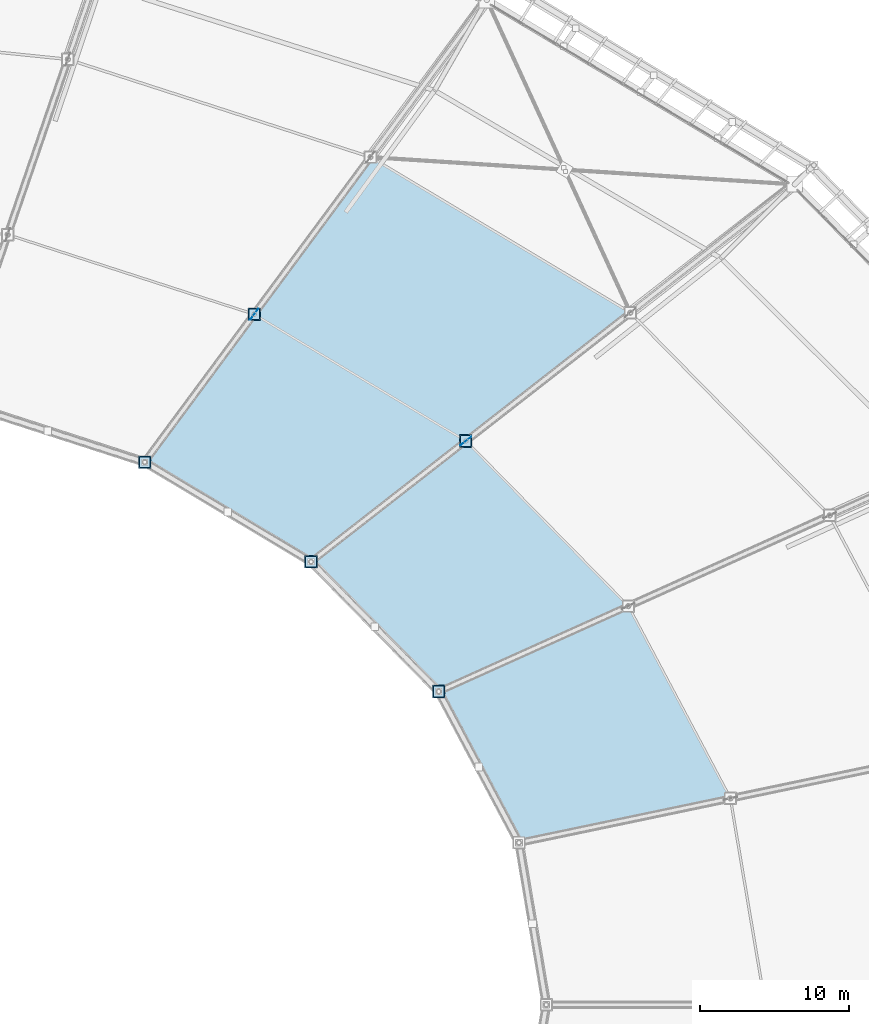
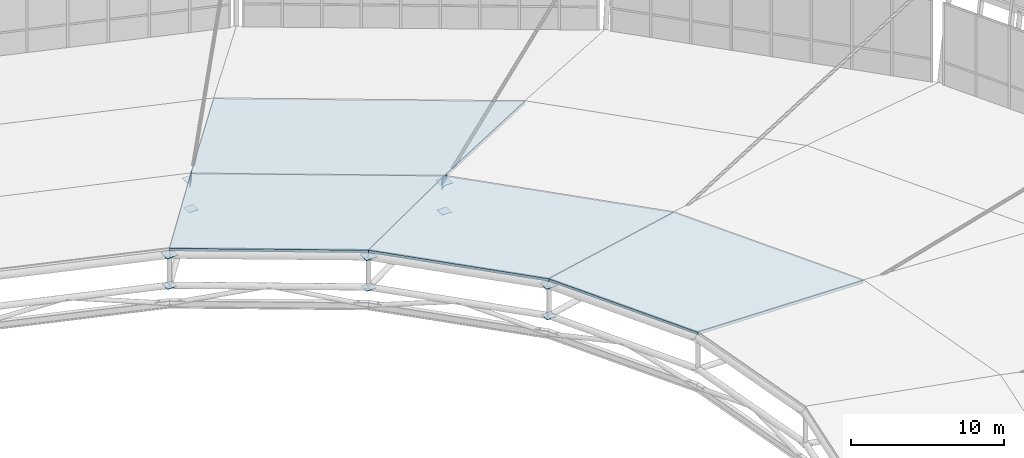
# One storey, part 93 of 115: 12 plates, 4 slabs, 2 elements without a shape of their own.
"""IFC4 building model written with IfcOpenShell, lengths in metres."""

from ifc_helpers import new_model, si_unit, direction, frame, origin, origin_2d, place, context, subcontext, project, spatial, polyline, rectangle, outline, extrude, material, layer, layer_set, type_object, element, aggregate, save


model = new_model("IFC4")

# Units and contexts
model_context = context("Model", 3, precision=1e-05, world=origin(), true_north=direction((0.0, 1.0)))
body_context = subcontext(model_context, "Body", "Model", "MODEL_VIEW")
ifc_project = project(units=[si_unit("LENGTHUNIT", "METRE"), si_unit("AREAUNIT", "SQUARE_METRE"), si_unit("VOLUMEUNIT", "CUBIC_METRE"), si_unit("PLANEANGLEUNIT", "RADIAN"), si_unit("MASSUNIT", "GRAM", prefix="KILO")], contexts=[model_context])

# Site, building, storey
site_placement = place(None, origin())
site = spatial("IfcSite", under=ifc_project, at=site_placement, CompositionType="ELEMENT")
building_placement = place(site_placement, origin())
building = spatial("IfcBuilding", under=site, at=building_placement, Name="Zlatoyarsky Gate Stadium", CompositionType="ELEMENT")
storey_placement = place(building_placement, frame((0.0, 0.0, 31.800048828125)))
storey = spatial("IfcBuildingStorey", under=building, at=storey_placement, Name="RF", CompositionType="ELEMENT", Elevation=31.800048828125)

# Roof, slabs
ifc_material_1 = material(Name="Standing-seam aluminium-zinc roofing with mineral wool insulation", Category="aluminium")
ifc_layer_1 = layer(ifc_material_1, 0.080078125)
ifc_layer_set_1 = layer_set([ifc_layer_1], Name="Standing-seam aluminium-zinc roofing with mineral wool insulation")
roof_type = type_object("IfcRoofType", Name="STADIUM BARREL VAULT ROOF ASSEMBLY", PredefinedType="BARREL_ROOF", material=ifc_layer_set_1)
roof_1_placement = place(storey_placement, origin())
roof_1 = element("IfcRoof", 1, at=roof_1_placement, inside=storey, type_object=roof_type, Name="Stadium barrel arch roof sector 1", PredefinedType="BARREL_ROOF")
ifc_material_2 = material(Name="Concrete C40/50", Category="concrete")
ifc_layer_2 = layer(ifc_material_2, 0.199951171875)
ifc_layer_set_2 = layer_set([ifc_layer_2], Name="Concrete C40/50")
slab_type = type_object("IfcSlabType", Name="COMPOSITE STADIUM ROOF DECK SLAB 200", PredefinedType="ROOF", material=ifc_layer_set_2)
slab_1_placement = place(storey_placement, frame((177.396728515625, 93.8779296875, 6.75), z_axis=(0.164762027399, 0.087486990583, 0.982445673208), x_axis=(-0.468975230927, 0.883211318302, -1.93843e-07)))
slab_1 = element("IfcSlab", 2, at=slab_1_placement, type_object=slab_type, Name="Stadium arched roof deck sector 01 bay 3", PredefinedType="ROOF", context=body_context, shape_type="SweptSolid", body=[
    extrude(outline(polyline([(0.0, 0.0), (14.642444595230506, -1.7763568394002505e-15), (15.550353376214641, 14.204881870937053), (4.044474844243187, 14.204854700251182), (0.0, 0.0)])), origin(), (0.0, 0.0, -1.0), 0.199951171875),
])
slab_2_placement = place(storey_placement, frame((170.52978515625, 106.810302734375, 6.75), z_axis=(0.141161010432, 0.138856723893, 0.980200173109), x_axis=(-0.701268194688, 0.712897551629, 1.130846e-06)))
slab_2 = element("IfcSlab", 3, at=slab_2_placement, type_object=slab_type, Name="Stadium arched roof deck sector 02 bay 3", PredefinedType="ROOF", context=body_context, shape_type="SweptSolid", body=[
    extrude(outline(polyline([(0.0, 0.0), (15.577591870662886, 0.0), (17.088906441996944, 13.382629616332784), (4.848086175728565, 13.382788489483769), (0.0, 0.0)])), origin(), (0.0, 0.0, -1.0), 0.199951171875),
])
aggregate(roof_1, [slab_1, slab_2])

roof_2_placement = place(storey_placement, origin())
roof_2 = element("IfcRoof", 4, at=roof_2_placement, inside=storey, type_object=roof_type, Name="Stadium barrel arch roof sector 2", PredefinedType="BARREL_ROOF")
slab_3_placement = place(storey_placement, frame((170.66796875, 126.544677734375, 3.599853515625), z_axis=(0.120203617004, 0.200821206827, 0.972225248257), x_axis=(-0.858036147249, 0.513589300914, -5.91224e-07)))
slab_3 = element("IfcSlab", 5, at=slab_3_placement, type_object=slab_type, Name="Stadium arched roof deck sector 03 bay 2", PredefinedType="ROOF", context=body_context, shape_type="SweptSolid", body=[
    extrude(outline(polyline([(0.0, 0.0), (20.367813062696413, 3.552713678800501e-15), (21.651676168666086, 13.45950735266839), (5.059974218422185, 13.459413989623384), (0.0, 0.0)])), origin(), (0.0, 0.0, -1.0), 0.199951171875),
])
slab_4_placement = place(storey_placement, frame((159.605712890625, 117.91552734375, 6.75), z_axis=(0.108033387963, 0.180488381017, 0.977626069314), x_axis=(-0.858038956174, 0.51358460811, 8.19339e-07)))
slab_4 = element("IfcSlab", 6, at=slab_4_placement, type_object=slab_type, Name="Stadium arched roof deck sector 03 bay 3", PredefinedType="ROOF", context=body_context, shape_type="SweptSolid", body=[
    extrude(outline(polyline([(0.0, 0.0), (16.59170195050538, 1.7763568394002505e-15), (17.799917642388266, 12.597496481387736), (4.762249659606838, 12.597611891195024), (0.0, 0.0)])), origin(), (0.0, 0.0, -1.0), 0.199951171875),
])
aggregate(roof_2, [slab_3, slab_4])

# Plates
ifc_material_3 = material(Name="Steel S355", Category="steel")
ifc_layer_3 = layer(ifc_material_3, 0.02392578125)
ifc_layer_set_3 = layer_set([ifc_layer_3], Name="Steel S355")
plate_type_1 = type_object("IfcPlateType", Name="STEEL HOLLOW CHORD SPLICE SHEET 24", PredefinedType="SHEET", material=ifc_layer_set_3)
plate_1_placement = place(storey_placement, frame((159.605712890625, 117.91552734375, 6.2880859375), z_axis=(0.0, 0.0, 1.0), x_axis=(1.0, 0.0, 0.0)))
element("IfcPlate", 7, at=plate_1_placement, inside=storey, type_object=plate_type_1, Name="Node closure plate ND-SP1 NCAP-TCH-03-2", PredefinedType="SHEET", context=body_context, shape_type="SweptSolid", body=[
    extrude(rectangle(XDim=0.85009765625, YDim=0.85009765625, at=origin_2d()), origin(), (0.0, 0.0, 1.0), 0.02392578125),
])
plate_2_placement = place(storey_placement, frame((159.605712890625, 117.91552734375, 3.93798828125), z_axis=(0.0, 0.0, 1.0), x_axis=(1.0, 0.0, 0.0)))
element("IfcPlate", 8, at=plate_2_placement, inside=storey, type_object=plate_type_1, Name="Node closure plate ND-SP1 NCAP-BCH-03-2", PredefinedType="SHEET", context=body_context, shape_type="SweptSolid", body=[
    extrude(rectangle(XDim=0.719970703125, YDim=0.719970703125, at=origin_2d()), origin(), (0.0, 0.0, 1.0), 0.02392578125),
])
plate_3_placement = place(storey_placement, frame((145.369384765625, 126.436767578125, 6.2880859375), z_axis=(0.0, 0.0, 1.0), x_axis=(1.0, 0.0, 0.0)))
element("IfcPlate", 9, at=plate_3_placement, inside=storey, type_object=plate_type_1, Name="Node closure plate ND-SP1 NCAP-TCH-04-2", PredefinedType="SHEET", context=body_context, shape_type="SweptSolid", body=[
    extrude(rectangle(XDim=0.85009765625, YDim=0.85009765625, at=origin_2d()), origin(), (0.0, 0.0, 1.0), 0.02392578125),
])
plate_4_placement = place(storey_placement, frame((145.369384765625, 126.436767578125, 3.93798828125), z_axis=(0.0, 0.0, 1.0), x_axis=(1.0, 0.0, 0.0)))
element("IfcPlate", 10, at=plate_4_placement, inside=storey, type_object=plate_type_1, Name="Node closure plate ND-SP1 NCAP-BCH-04-2", PredefinedType="SHEET", context=body_context, shape_type="SweptSolid", body=[
    extrude(rectangle(XDim=0.719970703125, YDim=0.719970703125, at=origin_2d()), origin(), (0.0, 0.0, 1.0), 0.02392578125),
])
ifc_layer_4 = layer(ifc_material_3, 0.031982421875)
ifc_layer_set_4 = layer_set([ifc_layer_4], Name="Steel S355")
plate_type_2 = type_object("IfcPlateType", Name="STEEL RADIAL TRUSS GUSSET PLATE 32", PredefinedType="USERDEFINED", material=ifc_layer_set_4)
for number, where, z_axis, x_axis, name in (
    (11, (159.605712890625, 117.91552734375, 5.93994140625), (0.0, 0.0, 1.0), (-0.788479093296, -0.615061557436, 0.0), "Radial truss gusset plate ND-WB1 03.2"),
    (12, (145.369384765625, 126.436767578125, 5.93994140625), (0.0, 0.0, 1.0), (-0.594913145096, -0.8037899911, 0.0), "Radial truss gusset plate ND-WB1 04.2"),
):
    element("IfcPlate", number, at=place(storey_placement, frame(where, z_axis=z_axis, x_axis=x_axis)), inside=storey, type_object=plate_type_2, Name=name, ObjectType="GUSSET PLATE", PredefinedType="USERDEFINED", context=body_context, shape_type="SweptSolid", body=[
        extrude(rectangle(XDim=0.919921875, YDim=0.031982421875, at=origin_2d()), origin(), (0.0, 0.0, 1.0), 0.719970703125),
    ])
ifc_layer_5 = layer(ifc_material_3, 0.02392578125)
ifc_layer_set_5 = layer_set([ifc_layer_5], Name="Steel S355")
plate_type_3 = type_object("IfcPlateType", Name="STEEL TENSION RING NODE CAP SHEET 24", PredefinedType="SHEET", material=ifc_layer_set_5)
plate_5_placement = place(storey_placement, frame((157.7783203125, 101.0673828125, 8.93798828125), z_axis=(0.0, 0.0, 1.0), x_axis=(1.0, 0.0, 0.0)))
element("IfcPlate", 13, at=plate_5_placement, inside=storey, type_object=plate_type_3, Name="Node closure plate ND-TR1 NCAP-TCH-02-3", PredefinedType="SHEET", context=body_context, shape_type="SweptSolid", body=[
    extrude(rectangle(XDim=0.85009765625, YDim=0.85009765625, at=origin_2d()), origin(), (0.0, 0.0, 1.0), 0.02392578125),
])
plate_6_placement = place(storey_placement, frame((157.7783203125, 101.0673828125, 6.43798828125), z_axis=(0.0, 0.0, 1.0), x_axis=(1.0, 0.0, 0.0)))
element("IfcPlate", 14, at=plate_6_placement, inside=storey, type_object=plate_type_3, Name="Node closure plate ND-TR1 NCAP-BCH-02-3", PredefinedType="SHEET", context=body_context, shape_type="SweptSolid", body=[
    extrude(rectangle(XDim=0.719970703125, YDim=0.719970703125, at=origin_2d()), origin(), (0.0, 0.0, 1.0), 0.02392578125),
])
plate_7_placement = place(storey_placement, frame((149.1943359375, 109.7939453125, 8.93798828125), z_axis=(0.0, 0.0, 1.0), x_axis=(1.0, 0.0, 0.0)))
element("IfcPlate", 15, at=plate_7_placement, inside=storey, type_object=plate_type_3, Name="Node closure plate ND-TR1 NCAP-TCH-03-3", PredefinedType="SHEET", context=body_context, shape_type="SweptSolid", body=[
    extrude(rectangle(XDim=0.85009765625, YDim=0.85009765625, at=origin_2d()), origin(), (0.0, 0.0, 1.0), 0.02392578125),
])
plate_8_placement = place(storey_placement, frame((149.1943359375, 109.7939453125, 6.43798828125), z_axis=(0.0, 0.0, 1.0), x_axis=(1.0, 0.0, 0.0)))
element("IfcPlate", 16, at=plate_8_placement, inside=storey, type_object=plate_type_3, Name="Node closure plate ND-TR1 NCAP-BCH-03-3", PredefinedType="SHEET", context=body_context, shape_type="SweptSolid", body=[
    extrude(rectangle(XDim=0.719970703125, YDim=0.719970703125, at=origin_2d()), origin(), (0.0, 0.0, 1.0), 0.02392578125),
])
plate_9_placement = place(storey_placement, frame((138.007568359375, 116.489990234375, 8.93798828125), z_axis=(0.0, 0.0, 1.0), x_axis=(1.0, 0.0, 0.0)))
element("IfcPlate", 17, at=plate_9_placement, inside=storey, type_object=plate_type_3, Name="Node closure plate ND-TR1 NCAP-TCH-04-3", PredefinedType="SHEET", context=body_context, shape_type="SweptSolid", body=[
    extrude(rectangle(XDim=0.85009765625, YDim=0.85009765625, at=origin_2d()), origin(), (0.0, 0.0, 1.0), 0.02392578125),
])
plate_10_placement = place(storey_placement, frame((138.007568359375, 116.489990234375, 6.43798828125), z_axis=(0.0, 0.0, 1.0), x_axis=(1.0, 0.0, 0.0)))
element("IfcPlate", 18, at=plate_10_placement, inside=storey, type_object=plate_type_3, Name="Node closure plate ND-TR1 NCAP-BCH-04-3", PredefinedType="SHEET", context=body_context, shape_type="SweptSolid", body=[
    extrude(rectangle(XDim=0.719970703125, YDim=0.719970703125, at=origin_2d()), origin(), (0.0, 0.0, 1.0), 0.02392578125),
])

save(model, "model.ifc")
